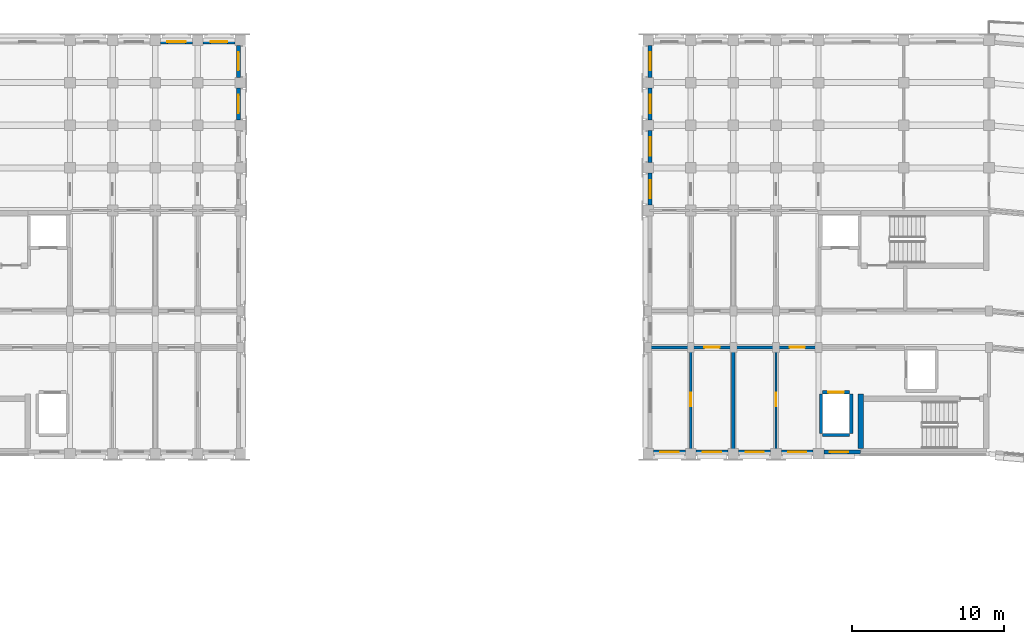
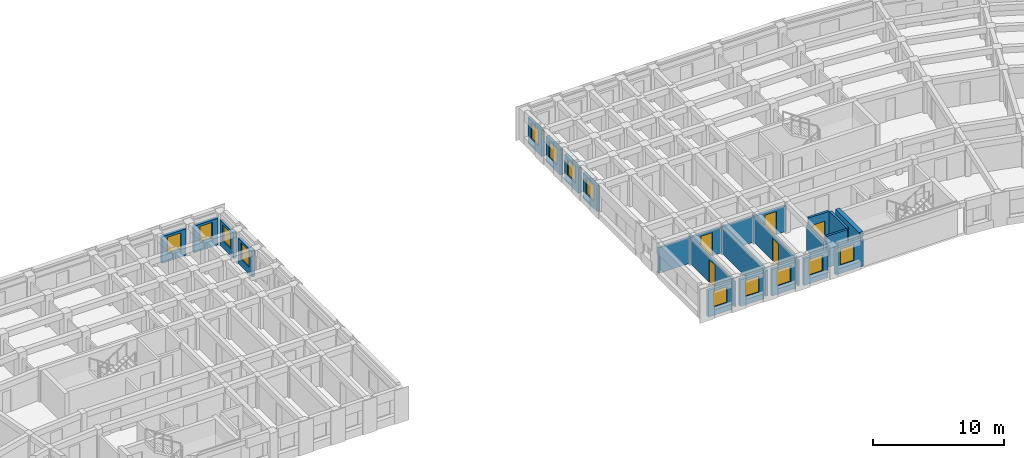
# One storey, part 30 of 54: 25 walls, 13 windows, 5 doors, 18 openings.
"""IFC4 building model written with IfcOpenShell, lengths in metres."""

from ifc_helpers import new_model, si_unit, direction, frame, frame_2d, origin, place, context, subcontext, project, spatial, rectangle, extrude, material, layer, layer_set, type_object, element, fill, save


model = new_model("IFC4")

# Units and contexts
model_context = context("Model", 3, precision=1e-05, world=origin(), true_north=direction((0.0, 1.0)))
body_context = subcontext(model_context, "Body", "Model", "MODEL_VIEW")
ifc_project = project(units=[si_unit("LENGTHUNIT", "METRE"), si_unit("AREAUNIT", "SQUARE_METRE"), si_unit("VOLUMEUNIT", "CUBIC_METRE"), si_unit("PLANEANGLEUNIT", "RADIAN"), si_unit("MASSUNIT", "GRAM", prefix="KILO")], contexts=[model_context])

# Site, building, storey
site_placement = place(None, origin())
site = spatial("IfcSite", under=ifc_project, at=site_placement, CompositionType="ELEMENT")
building_placement = place(site_placement, origin())
building = spatial("IfcBuilding", under=site, at=building_placement, Name="Kiranvali Square Residences", CompositionType="ELEMENT")
storey_placement = place(building_placement, frame((0.0, 0.0, 27.60009765625)))
storey = spatial("IfcBuildingStorey", under=building, at=storey_placement, Name="L08", CompositionType="ELEMENT", Elevation=27.60009765625)

# Wall, opening, door
ifc_material_1 = material(Name="Autoclaved aerated concrete blockwork masonry", Category="masonry")
ifc_layer_1 = layer(ifc_material_1, 0.199951171875)
ifc_layer_set_1 = layer_set([ifc_layer_1], Name="Autoclaved aerated concrete blockwork masonry")
wall_type_1 = type_object("IfcWallType", Name="WL-COR-200", PredefinedType="STANDARD", material=ifc_layer_set_1)
wall_1_placement = place(storey_placement, frame((108.60009765625, 113.60009765625, 0.0), z_axis=(0.0, 0.0, 1.0), x_axis=(-1.0, 0.0, 0.0)))
wall_1 = element("IfcWall", 1, at=wall_1_placement, inside=storey, type_object=wall_type_1, Name="L08 architectural wall WL-L08-B-A1CI-0", PredefinedType="STANDARD", context=body_context, shape_type="SweptSolid", body=[
    extrude(rectangle(XDim=2.800048828125, YDim=0.199951171875, at=frame_2d((1.39990234375, 0.0))), origin(), (0.0, 0.0, 1.0), 2.371826171875),
])
opening_1_placement = place(wall_1_placement, frame((0.89990234375, 0.0, 0.0)))
opening_1 = element("IfcOpeningElement", 2, at=opening_1_placement, cuts=wall_1, Name="Opening FD-APT-60", PredefinedType="OPENING", context=body_context, shape_type="SweptSolid", body=[
    extrude(rectangle(XDim=1.0, YDim=2.14990234375, at=frame_2d((0.5, 1.074951171875))), frame((0.0, 0.10986328125, 0.0), z_axis=(0.0, -1.0, 0.0), x_axis=(1.0, 0.0, 0.0)), (0.0, 0.0, 1.0), 0.219970703125),
])
ifc_material_2 = material(Name="Fire-rated acoustic hardwood and mineral-core door assembly", Category="wood")
door_type_1 = type_object("IfcDoorType", Name="DR-APT-1000", OperationType="NOTDEFINED", PredefinedType="DOOR", material=ifc_material_2)
door_1_placement = place(opening_1_placement, origin())
door_1 = element("IfcDoor", 3, at=door_1_placement, inside=storey, type_object=door_type_1, Name="L08 door DR-L08-1463 (DR-APT-1000)", OperationType="SINGLE_SWING_LEFT", OverallHeight=2.14990234375, OverallWidth=1.0, PredefinedType="DOOR", context=body_context, shape_type="SweptSolid", body=[
    extrude(rectangle(XDim=1.0, YDim=2.14990234375, at=frame_2d((0.5, 1.074951171875))), frame((0.0, 0.02490234375, 0.0), z_axis=(0.0, -1.0, 0.0), x_axis=(1.0, 0.0, 0.0)), (0.0, 0.0, 1.0), 0.050048828125),
])
fill(opening_1, door_1)

# Wall
wall_2_placement = place(storey_placement, frame((105.800048828125, 113.60009765625, 0.0), z_axis=(0.0, 0.0, 1.0), x_axis=(-1.0, 0.0, 0.0)))
element("IfcWall", 4, at=wall_2_placement, inside=storey, type_object=wall_type_1, Name="L08 architectural wall WL-L08-B-A1CI-1", PredefinedType="STANDARD", context=body_context, shape_type="SweptSolid", body=[
    extrude(rectangle(XDim=2.800048828125, YDim=0.199951171875, at=frame_2d((1.39990234375, 0.0))), origin(), (0.0, 0.0, 1.0), 2.371826171875),
])

# Wall, opening, door
wall_3_placement = place(storey_placement, frame((103.0, 113.60009765625, 0.0), z_axis=(0.0, 0.0, 1.0), x_axis=(-1.0, 0.0, 0.0)))
wall_3 = element("IfcWall", 5, at=wall_3_placement, inside=storey, type_object=wall_type_1, Name="L08 architectural wall WL-L08-B-A1CI-2", PredefinedType="STANDARD", context=body_context, shape_type="SweptSolid", body=[
    extrude(rectangle(XDim=2.800048828125, YDim=0.199951171875, at=frame_2d((1.39990234375, 0.0))), origin(), (0.0, 0.0, 1.0), 2.371826171875),
])
opening_2_placement = place(wall_3_placement, frame((0.89990234375, 0.0, 0.0)))
opening_2 = element("IfcOpeningElement", 6, at=opening_2_placement, cuts=wall_3, Name="Opening FD-APT-60", PredefinedType="OPENING", context=body_context, shape_type="SweptSolid", body=[
    extrude(rectangle(XDim=1.0, YDim=2.14990234375, at=frame_2d((0.5, 1.074951171875))), frame((0.0, 0.10986328125, 0.0), z_axis=(0.0, -1.0, 0.0), x_axis=(1.0, 0.0, 0.0)), (0.0, 0.0, 1.0), 0.219970703125),
])
door_2_placement = place(opening_2_placement, origin())
door_2 = element("IfcDoor", 7, at=door_2_placement, inside=storey, type_object=door_type_1, Name="L08 door DR-L08-1467 (DR-APT-1000)", OperationType="SINGLE_SWING_LEFT", OverallHeight=2.14990234375, OverallWidth=1.0, PredefinedType="DOOR", context=body_context, shape_type="SweptSolid", body=[
    extrude(rectangle(XDim=1.0, YDim=2.14990234375, at=frame_2d((0.5, 1.074951171875))), frame((0.0, 0.02490234375, 0.0), z_axis=(0.0, -1.0, 0.0), x_axis=(1.0, 0.0, 0.0)), (0.0, 0.0, 1.0), 0.050048828125),
])
fill(opening_2, door_2)

# Walls
wall_4_placement = place(storey_placement, frame((100.199951171875, 113.60009765625, 0.0), z_axis=(0.0, 0.0, 1.0), x_axis=(-1.0, 0.0, 0.0)))
element("IfcWall", 8, at=wall_4_placement, inside=storey, type_object=wall_type_1, Name="L08 architectural wall WL-L08-B-A1CI-3", PredefinedType="STANDARD", context=body_context, shape_type="SweptSolid", body=[
    extrude(rectangle(XDim=2.800048828125, YDim=0.199951171875, at=frame_2d((1.39990234375, 0.0))), origin(), (0.0, 0.0, 1.0), 2.371826171875),
])
ifc_layer_2 = layer(ifc_material_1, 0.219970703125)
ifc_layer_set_2 = layer_set([ifc_layer_2], Name="Autoclaved aerated concrete blockwork masonry")
wall_type_2 = type_object("IfcWallType", Name="WL-DEM-220", PredefinedType="STANDARD", material=ifc_layer_set_2)
wall_5_placement = place(storey_placement, frame((103.0, 106.800048828125, 0.0), z_axis=(0.0, 0.0, 1.0), x_axis=(0.0, 1.0, 0.0)))
element("IfcWall", 9, at=wall_5_placement, inside=storey, type_object=wall_type_2, Name="L08 architectural wall WL-L08-B-A1TI-2", PredefinedType="STANDARD", context=body_context, shape_type="SweptSolid", body=[
    extrude(rectangle(XDim=6.75, YDim=0.219970703125, at=frame_2d((3.375, 0.0))), origin(), (0.0, 0.0, 1.0), 2.371826171875),
])

# Wall, opening, window
ifc_material_3 = material(Name="Breathable lime-rendered clay brick masonry", Category="masonry")
ifc_layer_3 = layer(ifc_material_3, 0.25)
ifc_layer_set_3 = layer_set([ifc_layer_3], Name="Breathable lime-rendered clay brick masonry")
wall_type_3 = type_object("IfcWallType", Name="WL-EXT-250", PredefinedType="STANDARD", material=ifc_layer_set_3)
wall_6_placement = place(storey_placement, frame((65.353515625, 133.675048828125, 0.0), z_axis=(0.0, 0.0, 1.0), x_axis=(1.0, 0.0, 0.0)))
wall_6 = element("IfcWall", 10, at=wall_6_placement, inside=storey, type_object=wall_type_3, Name="L08 exterior wall A-L08-A1O-4", PredefinedType="STANDARD", context=body_context, shape_type="SweptSolid", body=[
    extrude(rectangle(XDim=2.093017578125, YDim=0.25, at=frame_2d((1.04638671875, 0.0))), origin(), (0.0, 0.0, 1.0), 2.471923828125),
])
opening_3_placement = place(wall_6_placement, frame((0.446533203125, 0.0, 0.77197265625)))
opening_3 = element("IfcOpeningElement", 11, at=opening_3_placement, cuts=wall_6, Name="Opening W-06", PredefinedType="OPENING", context=body_context, shape_type="SweptSolid", body=[
    extrude(rectangle(XDim=1.199951171875, YDim=1.5, at=frame_2d((0.60009765625, 0.75))), frame((0.0, 0.135009765625, 0.0), z_axis=(0.0, -1.0, 0.0), x_axis=(1.0, 0.0, 0.0)), (0.0, 0.0, 1.0), 0.27001953125),
])
ifc_material_4 = material(Name="Solar-control low-e double glazing", Category="glass")
window_type_1 = type_object("IfcWindowType", Name="WIN-RES-1200x1500", PartitioningType="SINGLE_PANEL", PredefinedType="WINDOW", material=ifc_material_4)
window_1_placement = place(opening_3_placement, origin())
window_1 = element("IfcWindow", 12, at=window_1_placement, inside=storey, type_object=window_type_1, Name="L08 recessed window A-L08-A1O-4", OverallHeight=1.5, OverallWidth=1.199951171875, PartitioningType="SINGLE_PANEL", PredefinedType="WINDOW", context=body_context, shape_type="SweptSolid", body=[
    extrude(rectangle(XDim=1.199951171875, YDim=1.5, at=frame_2d((0.60009765625, 0.75))), frame((0.0, 0.030029296875, 0.0), z_axis=(0.0, -1.0, 0.0), x_axis=(1.0, 0.0, 0.0)), (0.0, 0.0, 1.0), 0.06005859375),
])
fill(opening_3, window_1)

wall_7_placement = place(storey_placement, frame((68.153564453125, 133.675048828125, 0.0), z_axis=(0.0, 0.0, 1.0), x_axis=(1.0, 0.0, 0.0)))
wall_7 = element("IfcWall", 13, at=wall_7_placement, inside=storey, type_object=wall_type_3, Name="L08 exterior wall A-L08-A1O-5", PredefinedType="STANDARD", context=body_context, shape_type="SweptSolid", body=[
    extrude(rectangle(XDim=2.093017578125, YDim=0.25, at=frame_2d((1.04638671875, 0.0))), origin(), (0.0, 0.0, 1.0), 2.471923828125),
])
opening_4_placement = place(wall_7_placement, frame((0.49658203125, 0.0, 0.822021484375)))
opening_4 = element("IfcOpeningElement", 14, at=opening_4_placement, cuts=wall_7, Name="Opening W-15", PredefinedType="OPENING", context=body_context, shape_type="SweptSolid", body=[
    extrude(rectangle(XDim=1.10009765625, YDim=1.449951171875, at=frame_2d((0.550048828125, 0.72509765625))), frame((0.0, 0.135009765625, 0.0), z_axis=(0.0, -1.0, 0.0), x_axis=(1.0, 0.0, 0.0)), (0.0, 0.0, 1.0), 0.27001953125),
])
window_type_2 = type_object("IfcWindowType", Name="WIN-RES-1100x1450", PartitioningType="SINGLE_PANEL", PredefinedType="WINDOW", material=ifc_material_4)
window_2_placement = place(opening_4_placement, origin())
window_2 = element("IfcWindow", 15, at=window_2_placement, inside=storey, type_object=window_type_2, Name="L08 recessed window A-L08-A1O-5", OverallHeight=1.449951171875, OverallWidth=1.10009765625, PartitioningType="SINGLE_PANEL", PredefinedType="WINDOW", context=body_context, shape_type="SweptSolid", body=[
    extrude(rectangle(XDim=1.10009765625, YDim=1.449951171875, at=frame_2d((0.550048828125, 0.72509765625))), frame((0.0, 0.030029296875, 0.0), z_axis=(0.0, -1.0, 0.0), x_axis=(1.0, 0.0, 0.0)), (0.0, 0.0, 1.0), 0.06005859375),
])
fill(opening_4, window_2)

wall_8_placement = place(storey_placement, frame((70.47509765625, 128.553466796875, 0.0), z_axis=(0.0, 0.0, 1.0), x_axis=(0.0, 1.0, 0.0)))
wall_8 = element("IfcWall", 16, at=wall_8_placement, inside=storey, type_object=wall_type_3, Name="L08 exterior wall A-L08-A1END-5", PredefinedType="STANDARD", context=body_context, shape_type="SweptSolid", body=[
    extrude(rectangle(XDim=2.093017578125, YDim=0.25, at=frame_2d((1.04638671875, 0.0))), origin(), (0.0, 0.0, 1.0), 2.371826171875),
])
opening_5_placement = place(wall_8_placement, frame((0.446533203125, 0.0, 0.672119140625)))
opening_5 = element("IfcOpeningElement", 17, at=opening_5_placement, cuts=wall_8, Name="Opening W-06", PredefinedType="OPENING", context=body_context, shape_type="SweptSolid", body=[
    extrude(rectangle(XDim=1.199951171875, YDim=1.5, at=frame_2d((0.60009765625, 0.75))), frame((0.0, 0.135009765625, 0.0), z_axis=(0.0, -1.0, 0.0), x_axis=(1.0, 0.0, 0.0)), (0.0, 0.0, 1.0), 0.27001953125),
])
window_3_placement = place(opening_5_placement, origin())
window_3 = element("IfcWindow", 18, at=window_3_placement, inside=storey, type_object=window_type_1, Name="L08 recessed window A-L08-A1END-5", OverallHeight=1.5, OverallWidth=1.199951171875, PartitioningType="SINGLE_PANEL", PredefinedType="WINDOW", context=body_context, shape_type="SweptSolid", body=[
    extrude(rectangle(XDim=1.199951171875, YDim=1.5, at=frame_2d((0.60009765625, 0.75))), frame((0.0, 0.030029296875, 0.0), z_axis=(0.0, -1.0, 0.0), x_axis=(1.0, 0.0, 0.0)), (0.0, 0.0, 1.0), 0.06005859375),
])
fill(opening_5, window_3)

wall_9_placement = place(storey_placement, frame((70.47509765625, 131.353515625, 0.0), z_axis=(0.0, 0.0, 1.0), x_axis=(0.0, 1.0, 0.0)))
wall_9 = element("IfcWall", 19, at=wall_9_placement, inside=storey, type_object=wall_type_3, Name="L08 exterior wall A-L08-A1END-6", PredefinedType="STANDARD", context=body_context, shape_type="SweptSolid", body=[
    extrude(rectangle(XDim=2.093017578125, YDim=0.25, at=frame_2d((1.04638671875, 0.0))), origin(), (0.0, 0.0, 1.0), 2.371826171875),
])
opening_6_placement = place(wall_9_placement, frame((0.446533203125, 0.0, 0.672119140625)))
opening_6 = element("IfcOpeningElement", 20, at=opening_6_placement, cuts=wall_9, Name="Opening W-06", PredefinedType="OPENING", context=body_context, shape_type="SweptSolid", body=[
    extrude(rectangle(XDim=1.199951171875, YDim=1.5, at=frame_2d((0.60009765625, 0.75))), frame((0.0, 0.135009765625, 0.0), z_axis=(0.0, -1.0, 0.0), x_axis=(1.0, 0.0, 0.0)), (0.0, 0.0, 1.0), 0.27001953125),
])
window_4_placement = place(opening_6_placement, origin())
window_4 = element("IfcWindow", 21, at=window_4_placement, inside=storey, type_object=window_type_1, Name="L08 recessed window A-L08-A1END-6", OverallHeight=1.5, OverallWidth=1.199951171875, PartitioningType="SINGLE_PANEL", PredefinedType="WINDOW", context=body_context, shape_type="SweptSolid", body=[
    extrude(rectangle(XDim=1.199951171875, YDim=1.5, at=frame_2d((0.60009765625, 0.75))), frame((0.0, 0.030029296875, 0.0), z_axis=(0.0, -1.0, 0.0), x_axis=(1.0, 0.0, 0.0)), (0.0, 0.0, 1.0), 0.06005859375),
])
fill(opening_6, window_4)

wall_10_placement = place(storey_placement, frame((111.37158203125, 106.72509765625, 0.0), z_axis=(0.0, 0.0, 1.0), x_axis=(-1.0, 0.0, 0.0)))
wall_10 = element("IfcWall", 22, at=wall_10_placement, inside=storey, type_object=wall_type_3, Name="L08 exterior wall B-L08-A1IN-0", PredefinedType="STANDARD", context=body_context, shape_type="SweptSolid", body=[
    extrude(rectangle(XDim=2.421630859375, YDim=0.25, at=frame_2d((1.2109375, 0.0))), origin(), (0.0, 0.0, 1.0), 2.471923828125),
])
opening_7_placement = place(wall_10_placement, frame((0.821533203125, 0.0, 0.77197265625)))
opening_7 = element("IfcOpeningElement", 23, at=opening_7_placement, cuts=wall_10, Name="Opening W-06", PredefinedType="OPENING", context=body_context, shape_type="SweptSolid", body=[
    extrude(rectangle(XDim=1.199951171875, YDim=1.5, at=frame_2d((0.60009765625, 0.75))), frame((0.0, 0.135009765625, 0.0), z_axis=(0.0, -1.0, 0.0), x_axis=(1.0, 0.0, 0.0)), (0.0, 0.0, 1.0), 0.27001953125),
])
window_5_placement = place(opening_7_placement, origin())
window_5 = element("IfcWindow", 24, at=window_5_placement, inside=storey, type_object=window_type_1, Name="L08 recessed window B-L08-A1IN-0", OverallHeight=1.5, OverallWidth=1.199951171875, PartitioningType="SINGLE_PANEL", PredefinedType="WINDOW", context=body_context, shape_type="SweptSolid", body=[
    extrude(rectangle(XDim=1.199951171875, YDim=1.5, at=frame_2d((0.60009765625, 0.75))), frame((0.0, 0.030029296875, 0.0), z_axis=(0.0, -1.0, 0.0), x_axis=(1.0, 0.0, 0.0)), (0.0, 0.0, 1.0), 0.06005859375),
])
fill(opening_7, window_5)

wall_11_placement = place(storey_placement, frame((108.24658203125, 106.72509765625, 0.0), z_axis=(0.0, 0.0, 1.0), x_axis=(-1.0, 0.0, 0.0)))
wall_11 = element("IfcWall", 25, at=wall_11_placement, inside=storey, type_object=wall_type_3, Name="L08 exterior wall B-L08-A1I-0", PredefinedType="STANDARD", context=body_context, shape_type="SweptSolid", body=[
    extrude(rectangle(XDim=2.093017578125, YDim=0.25, at=frame_2d((1.04638671875, 0.0))), origin(), (0.0, 0.0, 1.0), 2.471923828125),
])
opening_8_placement = place(wall_11_placement, frame((0.446533203125, 0.0, 0.77197265625)))
opening_8 = element("IfcOpeningElement", 26, at=opening_8_placement, cuts=wall_11, Name="Opening W-06", PredefinedType="OPENING", context=body_context, shape_type="SweptSolid", body=[
    extrude(rectangle(XDim=1.199951171875, YDim=1.5, at=frame_2d((0.60009765625, 0.75))), frame((0.0, 0.135009765625, 0.0), z_axis=(0.0, -1.0, 0.0), x_axis=(1.0, 0.0, 0.0)), (0.0, 0.0, 1.0), 0.27001953125),
])
window_6_placement = place(opening_8_placement, origin())
window_6 = element("IfcWindow", 27, at=window_6_placement, inside=storey, type_object=window_type_1, Name="L08 recessed window B-L08-A1I-0", OverallHeight=1.5, OverallWidth=1.199951171875, PartitioningType="SINGLE_PANEL", PredefinedType="WINDOW", context=body_context, shape_type="SweptSolid", body=[
    extrude(rectangle(XDim=1.199951171875, YDim=1.5, at=frame_2d((0.60009765625, 0.75))), frame((0.0, 0.030029296875, 0.0), z_axis=(0.0, -1.0, 0.0), x_axis=(1.0, 0.0, 0.0)), (0.0, 0.0, 1.0), 0.06005859375),
])
fill(opening_8, window_6)

wall_12_placement = place(storey_placement, frame((105.446533203125, 106.72509765625, 0.0), z_axis=(0.0, 0.0, 1.0), x_axis=(-1.0, 0.0, 0.0)))
wall_12 = element("IfcWall", 28, at=wall_12_placement, inside=storey, type_object=wall_type_3, Name="L08 exterior wall B-L08-A1I-1", PredefinedType="STANDARD", context=body_context, shape_type="SweptSolid", body=[
    extrude(rectangle(XDim=2.093017578125, YDim=0.25, at=frame_2d((1.04638671875, 0.0))), origin(), (0.0, 0.0, 1.0), 2.471923828125),
])
opening_9_placement = place(wall_12_placement, frame((0.446533203125, 0.0, 0.77197265625)))
opening_9 = element("IfcOpeningElement", 29, at=opening_9_placement, cuts=wall_12, Name="Opening W-06", PredefinedType="OPENING", context=body_context, shape_type="SweptSolid", body=[
    extrude(rectangle(XDim=1.199951171875, YDim=1.5, at=frame_2d((0.60009765625, 0.75))), frame((0.0, 0.135009765625, 0.0), z_axis=(0.0, -1.0, 0.0), x_axis=(1.0, 0.0, 0.0)), (0.0, 0.0, 1.0), 0.27001953125),
])
window_7_placement = place(opening_9_placement, origin())
window_7 = element("IfcWindow", 30, at=window_7_placement, inside=storey, type_object=window_type_1, Name="L08 recessed window B-L08-A1I-1", OverallHeight=1.5, OverallWidth=1.199951171875, PartitioningType="SINGLE_PANEL", PredefinedType="WINDOW", context=body_context, shape_type="SweptSolid", body=[
    extrude(rectangle(XDim=1.199951171875, YDim=1.5, at=frame_2d((0.60009765625, 0.75))), frame((0.0, 0.030029296875, 0.0), z_axis=(0.0, -1.0, 0.0), x_axis=(1.0, 0.0, 0.0)), (0.0, 0.0, 1.0), 0.06005859375),
])
fill(opening_9, window_7)

wall_13_placement = place(storey_placement, frame((102.646484375, 106.72509765625, 0.0), z_axis=(0.0, 0.0, 1.0), x_axis=(-1.0, 0.0, 0.0)))
wall_13 = element("IfcWall", 31, at=wall_13_placement, inside=storey, type_object=wall_type_3, Name="L08 exterior wall B-L08-A1I-2", PredefinedType="STANDARD", context=body_context, shape_type="SweptSolid", body=[
    extrude(rectangle(XDim=2.093017578125, YDim=0.25, at=frame_2d((1.04638671875, 0.0))), origin(), (0.0, 0.0, 1.0), 2.471923828125),
])
opening_10_placement = place(wall_13_placement, frame((0.446533203125, 0.0, 0.77197265625)))
opening_10 = element("IfcOpeningElement", 32, at=opening_10_placement, cuts=wall_13, Name="Opening W-06", PredefinedType="OPENING", context=body_context, shape_type="SweptSolid", body=[
    extrude(rectangle(XDim=1.199951171875, YDim=1.5, at=frame_2d((0.60009765625, 0.75))), frame((0.0, 0.135009765625, 0.0), z_axis=(0.0, -1.0, 0.0), x_axis=(1.0, 0.0, 0.0)), (0.0, 0.0, 1.0), 0.27001953125),
])
window_8_placement = place(opening_10_placement, origin())
window_8 = element("IfcWindow", 33, at=window_8_placement, inside=storey, type_object=window_type_1, Name="L08 recessed window B-L08-A1I-2", OverallHeight=1.5, OverallWidth=1.199951171875, PartitioningType="SINGLE_PANEL", PredefinedType="WINDOW", context=body_context, shape_type="SweptSolid", body=[
    extrude(rectangle(XDim=1.199951171875, YDim=1.5, at=frame_2d((0.60009765625, 0.75))), frame((0.0, 0.030029296875, 0.0), z_axis=(0.0, -1.0, 0.0), x_axis=(1.0, 0.0, 0.0)), (0.0, 0.0, 1.0), 0.06005859375),
])
fill(opening_10, window_8)

wall_14_placement = place(storey_placement, frame((99.846435546875, 106.72509765625, 0.0), z_axis=(0.0, 0.0, 1.0), x_axis=(-1.0, 0.0, 0.0)))
wall_14 = element("IfcWall", 34, at=wall_14_placement, inside=storey, type_object=wall_type_3, Name="L08 exterior wall B-L08-A1I-3", PredefinedType="STANDARD", context=body_context, shape_type="SweptSolid", body=[
    extrude(rectangle(XDim=2.093017578125, YDim=0.25, at=frame_2d((1.04638671875, 0.0))), origin(), (0.0, 0.0, 1.0), 2.471923828125),
])
opening_11_placement = place(wall_14_placement, frame((0.446533203125, 0.0, 0.77197265625)))
opening_11 = element("IfcOpeningElement", 35, at=opening_11_placement, cuts=wall_14, Name="Opening W-06", PredefinedType="OPENING", context=body_context, shape_type="SweptSolid", body=[
    extrude(rectangle(XDim=1.199951171875, YDim=1.5, at=frame_2d((0.60009765625, 0.75))), frame((0.0, 0.135009765625, 0.0), z_axis=(0.0, -1.0, 0.0), x_axis=(1.0, 0.0, 0.0)), (0.0, 0.0, 1.0), 0.27001953125),
])
window_9_placement = place(opening_11_placement, origin())
window_9 = element("IfcWindow", 36, at=window_9_placement, inside=storey, type_object=window_type_1, Name="L08 recessed window B-L08-A1I-3", OverallHeight=1.5, OverallWidth=1.199951171875, PartitioningType="SINGLE_PANEL", PredefinedType="WINDOW", context=body_context, shape_type="SweptSolid", body=[
    extrude(rectangle(XDim=1.199951171875, YDim=1.5, at=frame_2d((0.60009765625, 0.75))), frame((0.0, 0.030029296875, 0.0), z_axis=(0.0, -1.0, 0.0), x_axis=(1.0, 0.0, 0.0)), (0.0, 0.0, 1.0), 0.06005859375),
])
fill(opening_11, window_9)

wall_15_placement = place(storey_placement, frame((97.52490234375, 122.95361328125, 0.0), z_axis=(0.0, 0.0, 1.0), x_axis=(0.0, 1.0, 0.0)))
wall_15 = element("IfcWall", 37, at=wall_15_placement, inside=storey, type_object=wall_type_3, Name="L08 exterior wall B-L08-A1END-3", PredefinedType="STANDARD", context=body_context, shape_type="SweptSolid", body=[
    extrude(rectangle(XDim=2.0927734375, YDim=0.25, at=frame_2d((1.04638671875, 0.0))), origin(), (0.0, 0.0, 1.0), 2.371826171875),
])
opening_12_placement = place(wall_15_placement, frame((0.446533203125, 0.0, 0.672119140625)))
opening_12 = element("IfcOpeningElement", 38, at=opening_12_placement, cuts=wall_15, Name="Opening W-06", PredefinedType="OPENING", context=body_context, shape_type="SweptSolid", body=[
    extrude(rectangle(XDim=1.199951171875, YDim=1.5, at=frame_2d((0.60009765625, 0.75))), frame((0.0, 0.135009765625, 0.0), z_axis=(0.0, -1.0, 0.0), x_axis=(1.0, 0.0, 0.0)), (0.0, 0.0, 1.0), 0.27001953125),
])
window_10_placement = place(opening_12_placement, origin())
window_10 = element("IfcWindow", 39, at=window_10_placement, inside=storey, type_object=window_type_1, Name="L08 recessed window B-L08-A1END-3", OverallHeight=1.5, OverallWidth=1.199951171875, PartitioningType="SINGLE_PANEL", PredefinedType="WINDOW", context=body_context, shape_type="SweptSolid", body=[
    extrude(rectangle(XDim=1.199951171875, YDim=1.5, at=frame_2d((0.60009765625, 0.75))), frame((0.0, 0.030029296875, 0.0), z_axis=(0.0, -1.0, 0.0), x_axis=(1.0, 0.0, 0.0)), (0.0, 0.0, 1.0), 0.06005859375),
])
fill(opening_12, window_10)

wall_16_placement = place(storey_placement, frame((97.52490234375, 125.75341796875, 0.0), z_axis=(0.0, 0.0, 1.0), x_axis=(0.0, 1.0, 0.0)))
wall_16 = element("IfcWall", 40, at=wall_16_placement, inside=storey, type_object=wall_type_3, Name="L08 exterior wall B-L08-A1END-4", PredefinedType="STANDARD", context=body_context, shape_type="SweptSolid", body=[
    extrude(rectangle(XDim=2.093017578125, YDim=0.25, at=frame_2d((1.04638671875, 0.0))), origin(), (0.0, 0.0, 1.0), 2.371826171875),
])
opening_13_placement = place(wall_16_placement, frame((0.446533203125, 0.0, 0.672119140625)))
opening_13 = element("IfcOpeningElement", 41, at=opening_13_placement, cuts=wall_16, Name="Opening W-06", PredefinedType="OPENING", context=body_context, shape_type="SweptSolid", body=[
    extrude(rectangle(XDim=1.199951171875, YDim=1.5, at=frame_2d((0.60009765625, 0.75))), frame((0.0, 0.135009765625, 0.0), z_axis=(0.0, -1.0, 0.0), x_axis=(1.0, 0.0, 0.0)), (0.0, 0.0, 1.0), 0.27001953125),
])
window_11_placement = place(opening_13_placement, origin())
window_11 = element("IfcWindow", 42, at=window_11_placement, inside=storey, type_object=window_type_1, Name="L08 recessed window B-L08-A1END-4", OverallHeight=1.5, OverallWidth=1.199951171875, PartitioningType="SINGLE_PANEL", PredefinedType="WINDOW", context=body_context, shape_type="SweptSolid", body=[
    extrude(rectangle(XDim=1.199951171875, YDim=1.5, at=frame_2d((0.60009765625, 0.75))), frame((0.0, 0.030029296875, 0.0), z_axis=(0.0, -1.0, 0.0), x_axis=(1.0, 0.0, 0.0)), (0.0, 0.0, 1.0), 0.06005859375),
])
fill(opening_13, window_11)

wall_17_placement = place(storey_placement, frame((97.52490234375, 128.553466796875, 0.0), z_axis=(0.0, 0.0, 1.0), x_axis=(0.0, 1.0, 0.0)))
wall_17 = element("IfcWall", 43, at=wall_17_placement, inside=storey, type_object=wall_type_3, Name="L08 exterior wall B-L08-A1END-5", PredefinedType="STANDARD", context=body_context, shape_type="SweptSolid", body=[
    extrude(rectangle(XDim=2.093017578125, YDim=0.25, at=frame_2d((1.04638671875, 0.0))), origin(), (0.0, 0.0, 1.0), 2.371826171875),
])
opening_14_placement = place(wall_17_placement, frame((0.446533203125, 0.0, 0.672119140625)))
opening_14 = element("IfcOpeningElement", 44, at=opening_14_placement, cuts=wall_17, Name="Opening W-06", PredefinedType="OPENING", context=body_context, shape_type="SweptSolid", body=[
    extrude(rectangle(XDim=1.199951171875, YDim=1.5, at=frame_2d((0.60009765625, 0.75))), frame((0.0, 0.135009765625, 0.0), z_axis=(0.0, -1.0, 0.0), x_axis=(1.0, 0.0, 0.0)), (0.0, 0.0, 1.0), 0.27001953125),
])
window_12_placement = place(opening_14_placement, origin())
window_12 = element("IfcWindow", 45, at=window_12_placement, inside=storey, type_object=window_type_1, Name="L08 recessed window B-L08-A1END-5", OverallHeight=1.5, OverallWidth=1.199951171875, PartitioningType="SINGLE_PANEL", PredefinedType="WINDOW", context=body_context, shape_type="SweptSolid", body=[
    extrude(rectangle(XDim=1.199951171875, YDim=1.5, at=frame_2d((0.60009765625, 0.75))), frame((0.0, 0.030029296875, 0.0), z_axis=(0.0, -1.0, 0.0), x_axis=(1.0, 0.0, 0.0)), (0.0, 0.0, 1.0), 0.06005859375),
])
fill(opening_14, window_12)

wall_18_placement = place(storey_placement, frame((97.52490234375, 131.353515625, 0.0), z_axis=(0.0, 0.0, 1.0), x_axis=(0.0, 1.0, 0.0)))
wall_18 = element("IfcWall", 46, at=wall_18_placement, inside=storey, type_object=wall_type_3, Name="L08 exterior wall B-L08-A1END-6", PredefinedType="STANDARD", context=body_context, shape_type="SweptSolid", body=[
    extrude(rectangle(XDim=2.093017578125, YDim=0.25, at=frame_2d((1.04638671875, 0.0))), origin(), (0.0, 0.0, 1.0), 2.411865234375),
])
opening_15_placement = place(wall_18_placement, frame((0.446533203125, 0.0, 0.7119140625)))
opening_15 = element("IfcOpeningElement", 47, at=opening_15_placement, cuts=wall_18, Name="Opening W-06", PredefinedType="OPENING", context=body_context, shape_type="SweptSolid", body=[
    extrude(rectangle(XDim=1.199951171875, YDim=1.5, at=frame_2d((0.60009765625, 0.75))), frame((0.0, 0.135009765625, 0.0), z_axis=(0.0, -1.0, 0.0), x_axis=(1.0, 0.0, 0.0)), (0.0, 0.0, 1.0), 0.27001953125),
])
window_13_placement = place(opening_15_placement, origin())
window_13 = element("IfcWindow", 48, at=window_13_placement, inside=storey, type_object=window_type_1, Name="L08 recessed window B-L08-A1END-6", OverallHeight=1.5, OverallWidth=1.199951171875, PartitioningType="SINGLE_PANEL", PredefinedType="WINDOW", context=body_context, shape_type="SweptSolid", body=[
    extrude(rectangle(XDim=1.199951171875, YDim=1.5, at=frame_2d((0.60009765625, 0.75))), frame((0.0, 0.030029296875, 0.0), z_axis=(0.0, -1.0, 0.0), x_axis=(1.0, 0.0, 0.0)), (0.0, 0.0, 1.0), 0.06005859375),
])
fill(opening_15, window_13)

# Wall, opening, door
ifc_material_5 = material(Name="Acoustic gypsum board drylined partition", Category="gypsum")
ifc_layer_4 = layer(ifc_material_5, 0.14990234375)
ifc_layer_set_4 = layer_set([ifc_layer_4], Name="Acoustic gypsum board drylined partition")
wall_type_4 = type_object("IfcWallType", Name="WL-PRT-150", PredefinedType="PARTITIONING", material=ifc_layer_set_4)
wall_19_placement = place(storey_placement, frame((105.800048828125, 106.800048828125, 0.0), z_axis=(0.0, 0.0, 1.0), x_axis=(0.0, 1.0, 0.0)))
wall_19 = element("IfcWall", 49, at=wall_19_placement, inside=storey, type_object=wall_type_4, Name="L08 architectural wall WL-L08-B-A1TI-1", PredefinedType="PARTITIONING", context=body_context, shape_type="SweptSolid", body=[
    extrude(rectangle(XDim=6.75, YDim=0.14990234375, at=frame_2d((3.375, 0.0))), origin(), (0.0, 0.0, 1.0), 2.371826171875),
])
opening_16_placement = place(wall_19_placement, frame((2.925048828125, 0.0, 0.0)))
opening_16 = element("IfcOpeningElement", 50, at=opening_16_placement, cuts=wall_19, Name="Opening ID-1", PredefinedType="OPENING", context=body_context, shape_type="SweptSolid", body=[
    extrude(rectangle(XDim=0.89990234375, YDim=2.10009765625, at=frame_2d((0.449951171875, 1.050048828125))), frame((0.0, 0.0849609375, 0.0), z_axis=(0.0, -1.0, 0.0), x_axis=(1.0, 0.0, 0.0)), (0.0, 0.0, 1.0), 0.169921875),
])
ifc_material_6 = material(Name="Solid seasoned teak hardwood joinery", Category="wood")
door_type_2 = type_object("IfcDoorType", Name="DR-INT-900", OperationType="NOTDEFINED", PredefinedType="DOOR", material=ifc_material_6)
door_3_placement = place(opening_16_placement, frame((0.89990234375, 0.0, 0.0), z_axis=(0.0, 0.0, 1.0), x_axis=(-1.0, 0.0, 0.0)))
door_3 = element("IfcDoor", 51, at=door_3_placement, inside=storey, type_object=door_type_2, Name="L08 door DR-L08-1472 (DR-INT-900)", OperationType="SINGLE_SWING_RIGHT", OverallHeight=2.10009765625, OverallWidth=0.89990234375, PredefinedType="DOOR", context=body_context, shape_type="SweptSolid", body=[
    extrude(rectangle(XDim=0.89990234375, YDim=2.10009765625, at=frame_2d((0.449951171875, 1.050048828125))), frame((0.0, 0.02490234375, 0.0), z_axis=(0.0, -1.0, 0.0), x_axis=(1.0, 0.0, 0.0)), (0.0, 0.0, 1.0), 0.050048828125),
])
fill(opening_16, door_3)

wall_20_placement = place(storey_placement, frame((100.199951171875, 106.800048828125, 0.0), z_axis=(0.0, 0.0, 1.0), x_axis=(0.0, 1.0, 0.0)))
wall_20 = element("IfcWall", 52, at=wall_20_placement, inside=storey, type_object=wall_type_4, Name="L08 architectural wall WL-L08-B-A1TI-3", PredefinedType="PARTITIONING", context=body_context, shape_type="SweptSolid", body=[
    extrude(rectangle(XDim=6.75, YDim=0.14990234375, at=frame_2d((3.375, 0.0))), origin(), (0.0, 0.0, 1.0), 2.371826171875),
])
opening_17_placement = place(wall_20_placement, frame((2.925048828125, 0.0, 0.0)))
opening_17 = element("IfcOpeningElement", 53, at=opening_17_placement, cuts=wall_20, Name="Opening ID-1", PredefinedType="OPENING", context=body_context, shape_type="SweptSolid", body=[
    extrude(rectangle(XDim=0.89990234375, YDim=2.10009765625, at=frame_2d((0.449951171875, 1.050048828125))), frame((0.0, 0.0849609375, 0.0), z_axis=(0.0, -1.0, 0.0), x_axis=(1.0, 0.0, 0.0)), (0.0, 0.0, 1.0), 0.169921875),
])
door_4_placement = place(opening_17_placement, origin())
door_4 = element("IfcDoor", 54, at=door_4_placement, inside=storey, type_object=door_type_2, Name="L08 door DR-L08-1475 (DR-INT-900)", OperationType="SINGLE_SWING_LEFT", OverallHeight=2.10009765625, OverallWidth=0.89990234375, PredefinedType="DOOR", context=body_context, shape_type="SweptSolid", body=[
    extrude(rectangle(XDim=0.89990234375, YDim=2.10009765625, at=frame_2d((0.449951171875, 1.050048828125))), frame((0.0, 0.02490234375, 0.0), z_axis=(0.0, -1.0, 0.0), x_axis=(1.0, 0.0, 0.0)), (0.0, 0.0, 1.0), 0.050048828125),
])
fill(opening_17, door_4)

# Walls
ifc_layer_5 = layer(ifc_material_1, 0.199951171875)
ifc_layer_set_5 = layer_set([ifc_layer_5], Name="Autoclaved aerated concrete blockwork masonry")
wall_type_5 = type_object("IfcWallType", Name="WL-SHF-200", PredefinedType="STANDARD", material=ifc_layer_set_5)
wall_21_placement = place(storey_placement, frame((110.75, 107.949951171875, 0.0), z_axis=(0.0, 0.0, 1.0), x_axis=(0.0, 1.0, 0.0)))
element("IfcWall", 55, at=wall_21_placement, inside=storey, type_object=wall_type_5, Name="L08 architectural wall WL-L08-B-LP1-S1", PredefinedType="STANDARD", context=body_context, shape_type="SweptSolid", body=[
    extrude(rectangle(XDim=2.60009765625, YDim=0.199951171875, at=frame_2d((1.300048828125, 0.0))), origin(), (0.0, 0.0, 1.0), 2.929931640625),
])
wall_22_placement = place(storey_placement, frame((108.75, 107.949951171875, 0.0), z_axis=(0.0, 0.0, 1.0), x_axis=(0.0, 1.0, 0.0)))
element("IfcWall", 56, at=wall_22_placement, inside=storey, type_object=wall_type_5, Name="L08 architectural wall WL-L08-B-LP1-B", PredefinedType="STANDARD", context=body_context, shape_type="SweptSolid", body=[
    extrude(rectangle(XDim=2.60009765625, YDim=0.199951171875, at=frame_2d((1.300048828125, 0.0))), origin(), (0.0, 0.0, 1.0), 2.371826171875),
])
wall_23_placement = place(storey_placement, frame((110.64990234375, 107.85009765625, 0.0), z_axis=(0.0, 0.0, 1.0), x_axis=(-1.0, 0.0, 0.0)))
element("IfcWall", 57, at=wall_23_placement, inside=storey, type_object=wall_type_5, Name="L08 architectural wall WL-L08-B-LP1-S2", PredefinedType="STANDARD", context=body_context, shape_type="SweptSolid", body=[
    extrude(rectangle(XDim=1.7998046875, YDim=0.199951171875, at=frame_2d((0.89990234375, 0.0))), origin(), (0.0, 0.0, 1.0), 2.929931640625),
])

# Wall, opening, door
wall_24_placement = place(storey_placement, frame((110.64990234375, 110.64990234375, 0.0), z_axis=(0.0, 0.0, 1.0), x_axis=(-1.0, 0.0, 0.0)))
wall_24 = element("IfcWall", 58, at=wall_24_placement, inside=storey, type_object=wall_type_5, Name="L08 architectural wall WL-L08-B-LP1-F", PredefinedType="STANDARD", context=body_context, shape_type="SweptSolid", body=[
    extrude(rectangle(XDim=1.7998046875, YDim=0.199951171875, at=frame_2d((0.89990234375, 0.0))), origin(), (0.0, 0.0, 1.0), 2.929931640625),
])
opening_18_placement = place(wall_24_placement, frame((0.389892578125, 0.0, 0.0)))
opening_18 = element("IfcOpeningElement", 59, at=opening_18_placement, cuts=wall_24, Name="Opening LD-PAX-100", PredefinedType="OPENING", context=body_context, shape_type="SweptSolid", body=[
    extrude(rectangle(XDim=1.02001953125, YDim=2.14990234375, at=frame_2d((0.510009765625, 1.074951171875))), frame((0.0, 0.10986328125, 0.0), z_axis=(0.0, -1.0, 0.0), x_axis=(1.0, 0.0, 0.0)), (0.0, 0.0, 1.0), 0.219970703125),
])
door_type_3 = type_object("IfcDoorType", Name="DR-LIFT-1000", OperationType="SLIDING_TO_RIGHT", PredefinedType="DOOR", material=ifc_material_2)
door_5_placement = place(opening_18_placement, origin())
door_5 = element("IfcDoor", 60, at=door_5_placement, inside=storey, type_object=door_type_3, Name="L08 door DR-L08-1457 (DR-LIFT-1000)", OperationType="SLIDING_TO_RIGHT", OverallHeight=2.14990234375, OverallWidth=1.02001953125, PredefinedType="DOOR", context=body_context, shape_type="SweptSolid", body=[
    extrude(rectangle(XDim=1.02001953125, YDim=2.14990234375, at=frame_2d((0.510009765625, 1.074951171875))), frame((0.0, 0.02490234375, 0.0), z_axis=(0.0, -1.0, 0.0), x_axis=(1.0, 0.0, 0.0)), (0.0, 0.0, 1.0), 0.050048828125),
])
fill(opening_18, door_5)

# Wall
ifc_material_7 = material(Name="Concrete M45 (45 MPa)", Category="concrete")
ifc_layer_6 = layer(ifc_material_7, 0.320068359375)
ifc_layer_set_6 = layer_set([ifc_layer_6], Name="Concrete M45 (45 MPa)")
wall_type_6 = type_object("IfcWallType", Name="WL-SHR-320", PredefinedType="SHEAR", material=ifc_layer_set_6)
wall_25_placement = place(storey_placement, frame((111.375, 106.949951171875, 0.0), z_axis=(0.0, 0.0, 1.0), x_axis=(0.0, 1.0, 0.0)))
element("IfcWall", 61, at=wall_25_placement, inside=storey, type_object=wall_type_6, Name="Block B core shear wall SW-B2-FAR-L08", PredefinedType="SHEAR", context=body_context, shape_type="SweptSolid", body=[
    extrude(rectangle(XDim=3.60009765625, YDim=0.35009765625, at=frame_2d((1.800048828125, 0.0))), origin(), (0.0, 0.0, 1.0), 2.929931640625),
])

save(model, "model.ifc")
